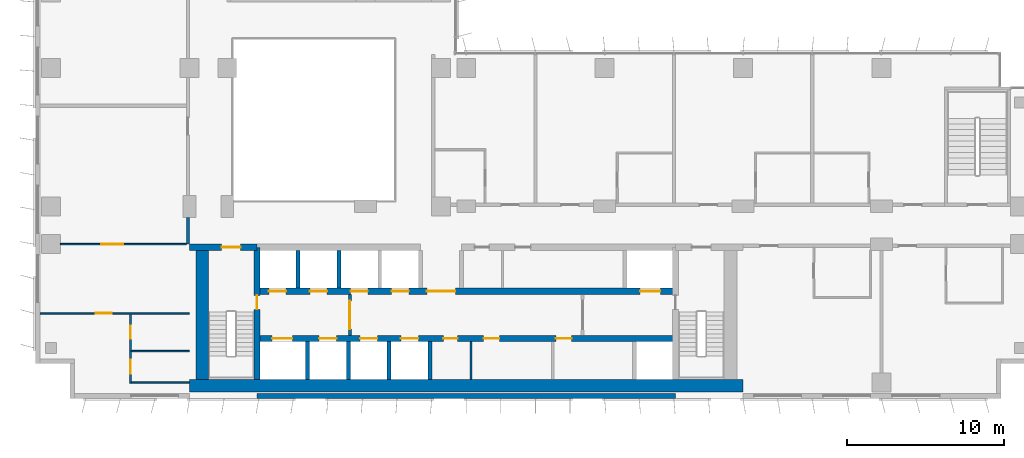
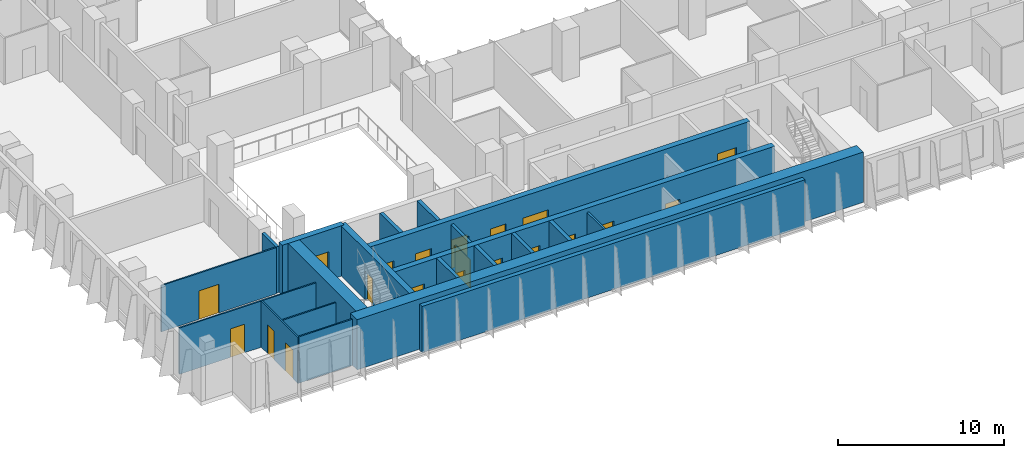
# One storey, part 12 of 22: 21 walls, 20 doors, 20 openings.
"""IFC4 building model written with IfcOpenShell, lengths in metres."""

from ifc_helpers import new_model, si_unit, direction, frame, frame_2d, origin, place, context, subcontext, project, spatial, rectangle, extrude, material, layer, layer_set, type_object, element, fill, save


model = new_model("IFC4")

# Units and contexts
model_context = context("Model", 3, precision=1e-05, world=origin(), true_north=direction((0.0, 1.0)))
body_context = subcontext(model_context, "Body", "Model", "MODEL_VIEW")
ifc_project = project(units=[si_unit("LENGTHUNIT", "METRE"), si_unit("AREAUNIT", "SQUARE_METRE"), si_unit("VOLUMEUNIT", "CUBIC_METRE"), si_unit("PLANEANGLEUNIT", "RADIAN"), si_unit("MASSUNIT", "GRAM", prefix="KILO")], contexts=[model_context])

# Site, building, storey
site_placement = place(None, origin())
site = spatial("IfcSite", under=ifc_project, at=site_placement, CompositionType="ELEMENT")
building_placement = place(site_placement, origin())
building = spatial("IfcBuilding", under=site, at=building_placement, Name="Kemantara Hotel Tower", CompositionType="ELEMENT")
storey_placement = place(building_placement, frame((0.0, 0.0, 122.199951171875)))
storey = spatial("IfcBuildingStorey", under=building, at=storey_placement, Name="L29", CompositionType="ELEMENT", Elevation=122.199951171875)

# Walls
ifc_material_1 = material(Name="Bronze anodised aluminium cladding on insulated steel stud wall", Category="steel")
ifc_layer_1 = layer(ifc_material_1, 0.300048828125)
ifc_layer_set_1 = layer_set([ifc_layer_1], Name="Bronze anodised aluminium cladding on insulated steel stud wall")
wall_type_1 = type_object("IfcWallType", Name="BRONZE METAL-CLAD EXTERNAL WALL 300", PredefinedType="STANDARD", material=ifc_layer_set_1)
wall_1_placement = place(storey_placement, frame((14.10009765625, 0.14990234375, 0.0), z_axis=(0.0, 0.0, 1.0), x_axis=(1.0, 0.0, 0.0)))
element("IfcWall", 1, at=wall_1_placement, inside=storey, type_object=wall_type_1, Name="EXTERNAL WALL L29 T2-R07-2", PredefinedType="STANDARD", context=body_context, shape_type="SweptSolid", body=[
    extrude(rectangle(XDim=26.599853515625, YDim=0.300048828125, at=frame_2d((13.2998046875, 0.0))), origin(), (0.0, 0.0, 1.0), 3.400146484375),
])
ifc_material_2 = material(Name="Concrete fc 70 MPa", Category="concrete")
ifc_layer_2 = layer(ifc_material_2, 0.25)
ifc_layer_set_2 = layer_set([ifc_layer_2], Name="Concrete fc 70 MPa")
wall_type_2 = type_object("IfcWallType", Name="CORE WALL 250 FC70", PredefinedType="SHEAR", material=ifc_layer_set_2)
for number, where, z_axis, x_axis, name in (
    (2, (17.300048828125, 1.199951171875, 0.0), (0.0, 0.0, 1.0), (0.0, 1.0, 0.0), "CORE WALL CW-DS17.3"),
    (3, (19.89990234375, 1.199951171875, 0.0), (0.0, 0.0, 1.0), (0.0, 1.0, 0.0), "CORE WALL CW-DS19.9"),
    (4, (22.5, 1.199951171875, 0.0), (0.0, 0.0, 1.0), (0.0, 1.0, 0.0), "CORE WALL CW-DS22.5"),
    (5, (25.10009765625, 1.199951171875, 0.0), (0.0, 0.0, 1.0), (0.0, 1.0, 0.0), "CORE WALL CW-DS25.1"),
):
    element("IfcWall", number, at=place(storey_placement, frame(where, z_axis=z_axis, x_axis=x_axis)), inside=storey, type_object=wall_type_2, Name=name, PredefinedType="SHEAR", context=body_context, shape_type="SweptSolid", body=[
        extrude(rectangle(XDim=2.400146484375, YDim=0.25, at=frame_2d((1.2001953125, 0.0))), origin(), (0.0, 0.0, 1.0), 3.699951171875),
    ])
for number, where, z_axis, x_axis, name in (
    (6, (16.699951171875, 7.0, 0.0), (0.0, 0.0, 1.0), (0.0, 1.0, 0.0), "CORE WALL CW-DN16.7"),
    (7, (19.300048828125, 7.0, 0.0), (0.0, 0.0, 1.0), (0.0, 1.0, 0.0), "CORE WALL CW-DN19.3"),
):
    element("IfcWall", number, at=place(storey_placement, frame(where, z_axis=z_axis, x_axis=x_axis)), inside=storey, type_object=wall_type_2, Name=name, PredefinedType="SHEAR", context=body_context, shape_type="SweptSolid", body=[
        extrude(rectangle(XDim=2.39990234375, YDim=0.25, at=frame_2d((1.199951171875, 0.0))), origin(), (0.0, 0.0, 1.0), 3.699951171875),
    ])

# Wall, opening, door
ifc_layer_3 = layer(ifc_material_2, 0.39990234375)
ifc_layer_set_3 = layer_set([ifc_layer_3], Name="Concrete fc 70 MPa")
wall_type_3 = type_object("IfcWallType", Name="CORE WALL 400 FC70", PredefinedType="SHEAR", material=ifc_layer_set_3)
wall_2_placement = place(storey_placement, frame((9.800048828125, 9.60009765625, 0.0), z_axis=(0.0, 0.0, 1.0), x_axis=(1.0, 0.0, 0.0)))
wall_2 = element("IfcWall", 8, at=wall_2_placement, inside=storey, type_object=wall_type_3, Name="CORE WALL CW-N1", PredefinedType="SHEAR", context=body_context, shape_type="SweptSolid", body=[
    extrude(rectangle(XDim=4.300048828125, YDim=0.39990234375, at=frame_2d((2.14990234375, 0.0))), origin(), (0.0, 0.0, 1.0), 3.699951171875),
])
opening_1_placement = place(wall_2_placement, frame((2.050048828125, 0.0, 0.0)))
opening_1 = element("IfcOpeningElement", 9, at=opening_1_placement, cuts=wall_2, Name="Opening C20-ST1-C", PredefinedType="OPENING", context=body_context, shape_type="SweptSolid", body=[
    extrude(rectangle(XDim=1.199951171875, YDim=2.10009765625, at=frame_2d((0.60009765625, 1.050048828125))), frame((0.0, 0.2099609375, 0.0), z_axis=(0.0, -1.0, 0.0), x_axis=(1.0, 0.0, 0.0)), (0.0, 0.0, 1.0), 0.419921875),
])
ifc_material_3 = material(Name="Steel fire door", Category="steel")
door_type_1 = type_object("IfcDoorType", Name="Fire door FD90 1200 x 2100", OperationType="NOTDEFINED", PredefinedType="DOOR", material=ifc_material_3)
door_1_placement = place(opening_1_placement, frame((1.199951171875, 0.0, 0.0), z_axis=(0.0, 0.0, 1.0), x_axis=(-1.0, 0.0, 0.0)))
door_1 = element("IfcDoor", 10, at=door_1_placement, inside=storey, type_object=door_type_1, Name="Stair ST1 door to corridor", OperationType="SINGLE_SWING_LEFT", OverallHeight=2.10009765625, OverallWidth=1.199951171875, PredefinedType="DOOR", context=body_context, shape_type="SweptSolid", body=[
    extrude(rectangle(XDim=1.199951171875, YDim=2.10009765625, at=frame_2d((0.60009765625, 1.050048828125))), frame((0.0, 0.02490234375, 0.0), z_axis=(0.0, -1.0, 0.0), x_axis=(1.0, 0.0, 0.0)), (0.0, 0.0, 1.0), 0.050048828125),
])
fill(opening_1, door_1)

# Wall, openings, doors
wall_3_placement = place(storey_placement, frame((14.10009765625, 3.800048828125, 0.0), z_axis=(0.0, 0.0, 1.0), x_axis=(1.0, 0.0, 0.0)))
wall_3 = element("IfcWall", 11, at=wall_3_placement, inside=storey, type_object=wall_type_3, Name="CORE WALL CW-L1", PredefinedType="SHEAR", context=body_context, shape_type="SweptSolid", body=[
    extrude(rectangle(XDim=26.599853515625, YDim=0.39990234375, at=frame_2d((13.2998046875, 0.0))), origin(), (0.0, 0.0, 1.0), 3.699951171875),
])
opening_2_placement = place(wall_3_placement, frame((0.949951171875, 0.0, 0.0)))
opening_2 = element("IfcOpeningElement", 12, at=opening_2_placement, cuts=wall_3, Name="Opening C20-LD-FF1", PredefinedType="OPENING", context=body_context, shape_type="SweptSolid", body=[
    extrude(rectangle(XDim=1.300048828125, YDim=2.10009765625, at=frame_2d((0.64990234375, 1.050048828125))), frame((0.0, 0.2099609375, 0.0), z_axis=(0.0, -1.0, 0.0), x_axis=(1.0, 0.0, 0.0)), (0.0, 0.0, 1.0), 0.419921875),
])
opening_3_placement = place(wall_3_placement, frame((3.949951171875, 0.0, 0.0)))
opening_3 = element("IfcOpeningElement", 13, at=opening_3_placement, cuts=wall_3, Name="Opening C20-LD-SV1", PredefinedType="OPENING", context=body_context, shape_type="SweptSolid", body=[
    extrude(rectangle(XDim=1.10009765625, YDim=2.10009765625, at=frame_2d((0.550048828125, 1.050048828125))), frame((0.0, 0.2099609375, 0.0), z_axis=(0.0, -1.0, 0.0), x_axis=(1.0, 0.0, 0.0)), (0.0, 0.0, 1.0), 0.419921875),
])
opening_4_placement = place(wall_3_placement, frame((6.550048828125, 0.0, 0.0)))
opening_4 = element("IfcOpeningElement", 14, at=opening_4_placement, cuts=wall_3, Name="Opening C20-LD-SV2", PredefinedType="OPENING", context=body_context, shape_type="SweptSolid", body=[
    extrude(rectangle(XDim=1.10009765625, YDim=2.10009765625, at=frame_2d((0.550048828125, 1.050048828125))), frame((0.0, 0.2099609375, 0.0), z_axis=(0.0, -1.0, 0.0), x_axis=(1.0, 0.0, 0.0)), (0.0, 0.0, 1.0), 0.419921875),
])
opening_5_placement = place(wall_3_placement, frame((9.14990234375, 0.0, 0.0)))
opening_5 = element("IfcOpeningElement", 15, at=opening_5_placement, cuts=wall_3, Name="Opening C20-LD-SV3", PredefinedType="OPENING", context=body_context, shape_type="SweptSolid", body=[
    extrude(rectangle(XDim=1.10009765625, YDim=2.10009765625, at=frame_2d((0.550048828125, 1.050048828125))), frame((0.0, 0.2099609375, 0.0), z_axis=(0.0, -1.0, 0.0), x_axis=(1.0, 0.0, 0.0)), (0.0, 0.0, 1.0), 0.419921875),
])
opening_6_placement = place(wall_3_placement, frame((11.85009765625, 0.0, 0.0)))
opening_6 = element("IfcOpeningElement", 16, at=opening_6_placement, cuts=wall_3, Name="Opening C20-R-SM1", PredefinedType="OPENING", context=body_context, shape_type="SweptSolid", body=[
    extrude(rectangle(XDim=0.89990234375, YDim=2.10009765625, at=frame_2d((0.449951171875, 1.050048828125))), frame((0.0, 0.2099609375, 0.0), z_axis=(0.0, -1.0, 0.0), x_axis=(1.0, 0.0, 0.0)), (0.0, 0.0, 1.0), 0.419921875),
])
opening_7_placement = place(wall_3_placement, frame((14.39990234375, 0.0, 0.0)))
opening_7 = element("IfcOpeningElement", 17, at=opening_7_placement, cuts=wall_3, Name="Opening C20-R-SM2", PredefinedType="OPENING", context=body_context, shape_type="SweptSolid", body=[
    extrude(rectangle(XDim=1.0, YDim=2.10009765625, at=frame_2d((0.5, 1.050048828125))), frame((0.0, 0.2099609375, 0.0), z_axis=(0.0, -1.0, 0.0), x_axis=(1.0, 0.0, 0.0)), (0.0, 0.0, 1.0), 0.419921875),
])
opening_8_placement = place(wall_3_placement, frame((19.0, 0.0, 0.0)))
opening_8 = element("IfcOpeningElement", 18, at=opening_8_placement, cuts=wall_3, Name="Opening C20-R-SM3", PredefinedType="OPENING", context=body_context, shape_type="SweptSolid", body=[
    extrude(rectangle(XDim=1.0, YDim=2.10009765625, at=frame_2d((0.5, 1.050048828125))), frame((0.0, 0.2099609375, 0.0), z_axis=(0.0, -1.0, 0.0), x_axis=(1.0, 0.0, 0.0)), (0.0, 0.0, 1.0), 0.419921875),
])
door_type_2 = type_object("IfcDoorType", Name="Fire door FD30S 1000 x 2100", OperationType="NOTDEFINED", PredefinedType="DOOR", material=ifc_material_3)
door_2_placement = place(opening_7_placement, frame((1.0, 0.0, 0.0), z_axis=(0.0, 0.0, 1.0), x_axis=(-1.0, 0.0, 0.0)))
door_2 = element("IfcDoor", 19, at=door_2_placement, inside=storey, type_object=door_type_2, Name="Luggage Store door", OperationType="SINGLE_SWING_LEFT", OverallHeight=2.10009765625, OverallWidth=1.0, PredefinedType="DOOR", context=body_context, shape_type="SweptSolid", body=[
    extrude(rectangle(XDim=1.0, YDim=2.10009765625, at=frame_2d((0.5, 1.050048828125))), frame((0.0, 0.02490234375, 0.0), z_axis=(0.0, -1.0, 0.0), x_axis=(1.0, 0.0, 0.0)), (0.0, 0.0, 1.0), 0.050048828125),
])
fill(opening_7, door_2)
door_3_placement = place(opening_8_placement, frame((1.0, 0.0, 0.0), z_axis=(0.0, 0.0, 1.0), x_axis=(-1.0, 0.0, 0.0)))
door_3 = element("IfcDoor", 20, at=door_3_placement, inside=storey, type_object=door_type_2, Name="Ice And Vending Room door", OperationType="SINGLE_SWING_LEFT", OverallHeight=2.10009765625, OverallWidth=1.0, PredefinedType="DOOR", context=body_context, shape_type="SweptSolid", body=[
    extrude(rectangle(XDim=1.0, YDim=2.10009765625, at=frame_2d((0.5, 1.050048828125))), frame((0.0, 0.02490234375, 0.0), z_axis=(0.0, -1.0, 0.0), x_axis=(1.0, 0.0, 0.0)), (0.0, 0.0, 1.0), 0.050048828125),
])
fill(opening_8, door_3)
door_type_3 = type_object("IfcDoorType", Name="Fire door FD60 900 x 2100", OperationType="NOTDEFINED", PredefinedType="DOOR", material=ifc_material_3)
door_4_placement = place(opening_6_placement, frame((0.89990234375, 0.0, 0.0), z_axis=(0.0, 0.0, 1.0), x_axis=(-1.0, 0.0, 0.0)))
door_4 = element("IfcDoor", 21, at=door_4_placement, inside=storey, type_object=door_type_3, Name="Electrical Riser Room door", OperationType="SINGLE_SWING_RIGHT", OverallHeight=2.10009765625, OverallWidth=0.89990234375, PredefinedType="DOOR", context=body_context, shape_type="SweptSolid", body=[
    extrude(rectangle(XDim=0.89990234375, YDim=2.10009765625, at=frame_2d((0.449951171875, 1.050048828125))), frame((0.0, 0.02490234375, 0.0), z_axis=(0.0, -1.0, 0.0), x_axis=(1.0, 0.0, 0.0)), (0.0, 0.0, 1.0), 0.050048828125),
])
fill(opening_6, door_4)
ifc_material_4 = material(Name="Stainless steel lift door", Category="steel")
door_type_4 = type_object("IfcDoorType", Name="Lift landing door 1100 x 2100 FD60", OperationType="DOUBLE_DOOR_SLIDING", PredefinedType="DOOR", material=ifc_material_4)
door_5_placement = place(opening_3_placement, origin())
door_5 = element("IfcDoor", 22, at=door_5_placement, inside=storey, type_object=door_type_4, Name="Lift SV1 landing door", OperationType="DOUBLE_DOOR_SLIDING", OverallHeight=2.10009765625, OverallWidth=1.10009765625, PredefinedType="DOOR", context=body_context, shape_type="SweptSolid", body=[
    extrude(rectangle(XDim=1.10009765625, YDim=2.10009765625, at=frame_2d((0.550048828125, 1.050048828125))), frame((0.0, 0.02490234375, 0.0), z_axis=(0.0, -1.0, 0.0), x_axis=(1.0, 0.0, 0.0)), (0.0, 0.0, 1.0), 0.050048828125),
])
fill(opening_3, door_5)
door_6_placement = place(opening_4_placement, origin())
door_6 = element("IfcDoor", 23, at=door_6_placement, inside=storey, type_object=door_type_4, Name="Lift SV2 landing door", OperationType="DOUBLE_DOOR_SLIDING", OverallHeight=2.10009765625, OverallWidth=1.10009765625, PredefinedType="DOOR", context=body_context, shape_type="SweptSolid", body=[
    extrude(rectangle(XDim=1.10009765625, YDim=2.10009765625, at=frame_2d((0.550048828125, 1.050048828125))), frame((0.0, 0.02490234375, 0.0), z_axis=(0.0, -1.0, 0.0), x_axis=(1.0, 0.0, 0.0)), (0.0, 0.0, 1.0), 0.050048828125),
])
fill(opening_4, door_6)
door_7_placement = place(opening_5_placement, origin())
door_7 = element("IfcDoor", 24, at=door_7_placement, inside=storey, type_object=door_type_4, Name="Lift SV3 landing door", OperationType="DOUBLE_DOOR_SLIDING", OverallHeight=2.10009765625, OverallWidth=1.10009765625, PredefinedType="DOOR", context=body_context, shape_type="SweptSolid", body=[
    extrude(rectangle(XDim=1.10009765625, YDim=2.10009765625, at=frame_2d((0.550048828125, 1.050048828125))), frame((0.0, 0.02490234375, 0.0), z_axis=(0.0, -1.0, 0.0), x_axis=(1.0, 0.0, 0.0)), (0.0, 0.0, 1.0), 0.050048828125),
])
fill(opening_5, door_7)
door_type_5 = type_object("IfcDoorType", Name="Lift landing door 1300 x 2100 FD90", OperationType="DOUBLE_DOOR_SLIDING", PredefinedType="DOOR", material=ifc_material_4)
door_8_placement = place(opening_2_placement, origin())
door_8 = element("IfcDoor", 25, at=door_8_placement, inside=storey, type_object=door_type_5, Name="Lift FF1 landing door", OperationType="DOUBLE_DOOR_SLIDING", OverallHeight=2.10009765625, OverallWidth=1.300048828125, PredefinedType="DOOR", context=body_context, shape_type="SweptSolid", body=[
    extrude(rectangle(XDim=1.300048828125, YDim=2.10009765625, at=frame_2d((0.64990234375, 1.050048828125))), frame((0.0, 0.02490234375, 0.0), z_axis=(0.0, -1.0, 0.0), x_axis=(1.0, 0.0, 0.0)), (0.0, 0.0, 1.0), 0.050048828125),
])
fill(opening_2, door_8)

wall_4_placement = place(storey_placement, frame((14.10009765625, 6.800048828125, 0.0), z_axis=(0.0, 0.0, 1.0), x_axis=(1.0, 0.0, 0.0)))
wall_4 = element("IfcWall", 26, at=wall_4_placement, inside=storey, type_object=wall_type_3, Name="CORE WALL CW-L2", PredefinedType="SHEAR", context=body_context, shape_type="SweptSolid", body=[
    extrude(rectangle(XDim=26.599853515625, YDim=0.39990234375, at=frame_2d((13.2998046875, 0.0))), origin(), (0.0, 0.0, 1.0), 3.699951171875),
])
opening_9_placement = place(wall_4_placement, frame((10.800048828125, 0.0, 0.0)))
opening_9 = element("IfcOpeningElement", 27, at=opening_9_placement, cuts=wall_4, Name="Opening C20-VL", PredefinedType="OPENING", context=body_context, shape_type="SweptSolid", body=[
    extrude(rectangle(XDim=1.800048828125, YDim=2.10009765625, at=frame_2d((0.89990234375, 1.050048828125))), frame((0.0, 0.2099609375, 0.0), z_axis=(0.0, -1.0, 0.0), x_axis=(1.0, 0.0, 0.0)), (0.0, 0.0, 1.0), 0.419921875),
])
opening_10_placement = place(wall_4_placement, frame((0.75, 0.0, 0.0)))
opening_10 = element("IfcOpeningElement", 28, at=opening_10_placement, cuts=wall_4, Name="Opening C20-LD-MR1", PredefinedType="OPENING", context=body_context, shape_type="SweptSolid", body=[
    extrude(rectangle(XDim=1.10009765625, YDim=2.10009765625, at=frame_2d((0.550048828125, 1.050048828125))), frame((0.0, 0.2099609375, 0.0), z_axis=(0.0, -1.0, 0.0), x_axis=(1.0, 0.0, 0.0)), (0.0, 0.0, 1.0), 0.419921875),
])
opening_11_placement = place(wall_4_placement, frame((3.35009765625, 0.0, 0.0)))
opening_11 = element("IfcOpeningElement", 29, at=opening_11_placement, cuts=wall_4, Name="Opening C20-LD-MR2", PredefinedType="OPENING", context=body_context, shape_type="SweptSolid", body=[
    extrude(rectangle(XDim=1.10009765625, YDim=2.10009765625, at=frame_2d((0.550048828125, 1.050048828125))), frame((0.0, 0.2099609375, 0.0), z_axis=(0.0, -1.0, 0.0), x_axis=(1.0, 0.0, 0.0)), (0.0, 0.0, 1.0), 0.419921875),
])
opening_12_placement = place(wall_4_placement, frame((5.949951171875, 0.0, 0.0)))
opening_12 = element("IfcOpeningElement", 30, at=opening_12_placement, cuts=wall_4, Name="Opening C20-LD-MR3", PredefinedType="OPENING", context=body_context, shape_type="SweptSolid", body=[
    extrude(rectangle(XDim=1.10009765625, YDim=2.10009765625, at=frame_2d((0.550048828125, 1.050048828125))), frame((0.0, 0.2099609375, 0.0), z_axis=(0.0, -1.0, 0.0), x_axis=(1.0, 0.0, 0.0)), (0.0, 0.0, 1.0), 0.419921875),
])
opening_13_placement = place(wall_4_placement, frame((8.550048828125, 0.0, 0.0)))
opening_13 = element("IfcOpeningElement", 31, at=opening_13_placement, cuts=wall_4, Name="Opening C20-LD-MR4", PredefinedType="OPENING", context=body_context, shape_type="SweptSolid", body=[
    extrude(rectangle(XDim=1.10009765625, YDim=2.10009765625, at=frame_2d((0.550048828125, 1.050048828125))), frame((0.0, 0.2099609375, 0.0), z_axis=(0.0, -1.0, 0.0), x_axis=(1.0, 0.0, 0.0)), (0.0, 0.0, 1.0), 0.419921875),
])
opening_14_placement = place(wall_4_placement, frame((24.35009765625, 0.0, 0.0)))
opening_14 = element("IfcOpeningElement", 32, at=opening_14_placement, cuts=wall_4, Name="Opening C20-LD-FF2", PredefinedType="OPENING", context=body_context, shape_type="SweptSolid", body=[
    extrude(rectangle(XDim=1.300048828125, YDim=2.10009765625, at=frame_2d((0.64990234375, 1.050048828125))), frame((0.0, 0.2099609375, 0.0), z_axis=(0.0, -1.0, 0.0), x_axis=(1.0, 0.0, 0.0)), (0.0, 0.0, 1.0), 0.419921875),
])
door_type_6 = type_object("IfcDoorType", Name="Fire door pair FD60 1800 x 2100", OperationType="DOUBLE_DOOR_SINGLE_SWING", PredefinedType="DOOR", material=ifc_material_3)
door_9_placement = place(opening_9_placement, frame((1.800048828125, 0.0, 0.0), z_axis=(0.0, 0.0, 1.0), x_axis=(-1.0, 0.0, 0.0)))
door_9 = element("IfcDoor", 33, at=door_9_placement, inside=storey, type_object=door_type_6, Name="Lift lobby entry door", OperationType="DOUBLE_DOOR_SINGLE_SWING", OverallHeight=2.10009765625, OverallWidth=1.800048828125, PredefinedType="DOOR", context=body_context, shape_type="SweptSolid", body=[
    extrude(rectangle(XDim=1.800048828125, YDim=2.10009765625, at=frame_2d((0.89990234375, 1.050048828125))), frame((0.0, 0.02490234375, 0.0), z_axis=(0.0, -1.0, 0.0), x_axis=(1.0, 0.0, 0.0)), (0.0, 0.0, 1.0), 0.050048828125),
])
fill(opening_9, door_9)
door_10_placement = place(opening_10_placement, origin())
door_10 = element("IfcDoor", 34, at=door_10_placement, inside=storey, type_object=door_type_4, Name="Lift MR1 landing door", OperationType="DOUBLE_DOOR_SLIDING", OverallHeight=2.10009765625, OverallWidth=1.10009765625, PredefinedType="DOOR", context=body_context, shape_type="SweptSolid", body=[
    extrude(rectangle(XDim=1.10009765625, YDim=2.10009765625, at=frame_2d((0.550048828125, 1.050048828125))), frame((0.0, 0.02490234375, 0.0), z_axis=(0.0, -1.0, 0.0), x_axis=(1.0, 0.0, 0.0)), (0.0, 0.0, 1.0), 0.050048828125),
])
fill(opening_10, door_10)
door_11_placement = place(opening_11_placement, origin())
door_11 = element("IfcDoor", 35, at=door_11_placement, inside=storey, type_object=door_type_4, Name="Lift MR2 landing door", OperationType="DOUBLE_DOOR_SLIDING", OverallHeight=2.10009765625, OverallWidth=1.10009765625, PredefinedType="DOOR", context=body_context, shape_type="SweptSolid", body=[
    extrude(rectangle(XDim=1.10009765625, YDim=2.10009765625, at=frame_2d((0.550048828125, 1.050048828125))), frame((0.0, 0.02490234375, 0.0), z_axis=(0.0, -1.0, 0.0), x_axis=(1.0, 0.0, 0.0)), (0.0, 0.0, 1.0), 0.050048828125),
])
fill(opening_11, door_11)
door_12_placement = place(opening_12_placement, origin())
door_12 = element("IfcDoor", 36, at=door_12_placement, inside=storey, type_object=door_type_4, Name="Lift MR3 landing door", OperationType="DOUBLE_DOOR_SLIDING", OverallHeight=2.10009765625, OverallWidth=1.10009765625, PredefinedType="DOOR", context=body_context, shape_type="SweptSolid", body=[
    extrude(rectangle(XDim=1.10009765625, YDim=2.10009765625, at=frame_2d((0.550048828125, 1.050048828125))), frame((0.0, 0.02490234375, 0.0), z_axis=(0.0, -1.0, 0.0), x_axis=(1.0, 0.0, 0.0)), (0.0, 0.0, 1.0), 0.050048828125),
])
fill(opening_12, door_12)
door_13_placement = place(opening_13_placement, origin())
door_13 = element("IfcDoor", 37, at=door_13_placement, inside=storey, type_object=door_type_4, Name="Lift MR4 landing door", OperationType="DOUBLE_DOOR_SLIDING", OverallHeight=2.10009765625, OverallWidth=1.10009765625, PredefinedType="DOOR", context=body_context, shape_type="SweptSolid", body=[
    extrude(rectangle(XDim=1.10009765625, YDim=2.10009765625, at=frame_2d((0.550048828125, 1.050048828125))), frame((0.0, 0.02490234375, 0.0), z_axis=(0.0, -1.0, 0.0), x_axis=(1.0, 0.0, 0.0)), (0.0, 0.0, 1.0), 0.050048828125),
])
fill(opening_13, door_13)
door_14_placement = place(opening_14_placement, origin())
door_14 = element("IfcDoor", 38, at=door_14_placement, inside=storey, type_object=door_type_5, Name="Lift FF2 landing door", OperationType="DOUBLE_DOOR_SLIDING", OverallHeight=2.10009765625, OverallWidth=1.300048828125, PredefinedType="DOOR", context=body_context, shape_type="SweptSolid", body=[
    extrude(rectangle(XDim=1.300048828125, YDim=2.10009765625, at=frame_2d((0.64990234375, 1.050048828125))), frame((0.0, 0.02490234375, 0.0), z_axis=(0.0, -1.0, 0.0), x_axis=(1.0, 0.0, 0.0)), (0.0, 0.0, 1.0), 0.050048828125),
])
fill(opening_14, door_14)

# Wall, opening, door
wall_5_placement = place(storey_placement, frame((14.10009765625, 1.199951171875, 0.0), z_axis=(0.0, 0.0, 1.0), x_axis=(0.0, 1.0, 0.0)))
wall_5 = element("IfcWall", 39, at=wall_5_placement, inside=storey, type_object=wall_type_3, Name="CORE WALL CW-ST1E", PredefinedType="SHEAR", context=body_context, shape_type="SweptSolid", body=[
    extrude(rectangle(XDim=8.400146484375, YDim=0.39990234375, at=frame_2d((4.2001953125, 0.0))), origin(), (0.0, 0.0, 1.0), 3.699951171875),
])
opening_15_placement = place(wall_5_placement, frame((4.449951171875, 0.0, 0.0)))
opening_15 = element("IfcOpeningElement", 40, at=opening_15_placement, cuts=wall_5, Name="Opening C20-ST1-F", PredefinedType="OPENING", context=body_context, shape_type="SweptSolid", body=[
    extrude(rectangle(XDim=0.89990234375, YDim=2.10009765625, at=frame_2d((0.449951171875, 1.050048828125))), frame((0.0, 0.2099609375, 0.0), z_axis=(0.0, -1.0, 0.0), x_axis=(1.0, 0.0, 0.0)), (0.0, 0.0, 1.0), 0.419921875),
])
door_type_7 = type_object("IfcDoorType", Name="Fire door FD90 900 x 2100", OperationType="NOTDEFINED", PredefinedType="DOOR", material=ifc_material_3)
door_15_placement = place(opening_15_placement, origin())
door_15 = element("IfcDoor", 41, at=door_15_placement, inside=storey, type_object=door_type_7, Name="Stair ST1 door to firefighting lobby", OperationType="SINGLE_SWING_RIGHT", OverallHeight=2.10009765625, OverallWidth=0.89990234375, PredefinedType="DOOR", context=body_context, shape_type="SweptSolid", body=[
    extrude(rectangle(XDim=0.89990234375, YDim=2.10009765625, at=frame_2d((0.449951171875, 1.050048828125))), frame((0.0, 0.02490234375, 0.0), z_axis=(0.0, -1.0, 0.0), x_axis=(1.0, 0.0, 0.0)), (0.0, 0.0, 1.0), 0.050048828125),
])
fill(opening_15, door_15)

# Walls
ifc_layer_4 = layer(ifc_material_2, 0.800048828125)
ifc_layer_set_4 = layer_set([ifc_layer_4], Name="Concrete fc 70 MPa")
wall_type_4 = type_object("IfcWallType", Name="CORE WALL 800 FC70", PredefinedType="SHEAR", material=ifc_layer_set_4)
wall_6_placement = place(storey_placement, frame((9.800048828125, 0.800048828125, 0.0), z_axis=(0.0, 0.0, 1.0), x_axis=(1.0, 0.0, 0.0)))
element("IfcWall", 42, at=wall_6_placement, inside=storey, type_object=wall_type_4, Name="CORE WALL CW-S", PredefinedType="SHEAR", context=body_context, shape_type="SweptSolid", body=[
    extrude(rectangle(XDim=35.199951171875, YDim=0.800048828125, at=frame_2d((17.60009765625, 0.0))), origin(), (0.0, 0.0, 1.0), 3.699951171875),
])
wall_7_placement = place(storey_placement, frame((10.60009765625, 1.199951171875, 0.0), z_axis=(0.0, 0.0, 1.0), x_axis=(0.0, 1.0, 0.0)))
element("IfcWall", 43, at=wall_7_placement, inside=storey, type_object=wall_type_4, Name="CORE WALL CW-W", PredefinedType="SHEAR", context=body_context, shape_type="SweptSolid", body=[
    extrude(rectangle(XDim=8.60009765625, YDim=0.800048828125, at=frame_2d((4.300048828125, 0.0))), origin(), (0.0, 0.0, 1.0), 3.699951171875),
])
ifc_material_5 = material(Name="Gypsum board partition, steel studs and mineral wool, 200 mm", Category="steel")
ifc_layer_5 = layer(ifc_material_5, 0.199951171875)
ifc_layer_set_5 = layer_set([ifc_layer_5], Name="Gypsum board partition, steel studs and mineral wool, 200 mm")
wall_type_5 = type_object("IfcWallType", Name="CORRIDOR WALL 200", PredefinedType="PARTITIONING", material=ifc_layer_set_5)
wall_8_placement = place(storey_placement, frame((9.699951171875, 9.800048828125, 0.0), z_axis=(0.0, 0.0, 1.0), x_axis=(0.0, 1.0, 0.0)))
element("IfcWall", 44, at=wall_8_placement, inside=storey, type_object=wall_type_5, Name="CORRIDOR WALL 200 014", PredefinedType="PARTITIONING", context=body_context, shape_type="SweptSolid", body=[
    extrude(rectangle(XDim=1.699951171875, YDim=0.199951171875, at=frame_2d((0.85009765625, 0.0))), origin(), (0.0, 0.0, 1.0), 3.400146484375),
])
ifc_material_6 = material(Name="Gypsum board partition")
ifc_layer_6 = layer(ifc_material_6, 0.14990234375)
ifc_layer_set_6 = layer_set([ifc_layer_6], Name="Gypsum board partition")
wall_type_6 = type_object("IfcWallType", Name="Gypsum board partition 150 mm", PredefinedType="PARTITIONING", material=ifc_layer_set_6)
wall_9_placement = place(storey_placement, frame((27.699951171875, 1.199951171875, 0.0), z_axis=(0.0, 0.0, 1.0), x_axis=(0.0, 1.0, 0.0)))
element("IfcWall", 45, at=wall_9_placement, inside=storey, type_object=wall_type_6, Name="Core room partition", PredefinedType="PARTITIONING", context=body_context, shape_type="SweptSolid", body=[
    extrude(rectangle(XDim=2.400146484375, YDim=0.14990234375, at=frame_2d((1.2001953125, 0.0))), origin(), (0.0, 0.0, 1.0), 3.400146484375),
])

# Wall, opening, door
ifc_material_7 = material(Name="Gypsum board shaft wall")
ifc_layer_7 = layer(ifc_material_7, 0.199951171875)
ifc_layer_set_7 = layer_set([ifc_layer_7], Name="Gypsum board shaft wall")
wall_type_7 = type_object("IfcWallType", Name="Gypsum board shaft wall 200 mm", PredefinedType="PARTITIONING", material=ifc_layer_set_7)
wall_10_placement = place(storey_placement, frame((20.0, 4.0, 0.0), z_axis=(0.0, 0.0, 1.0), x_axis=(0.0, 1.0, 0.0)))
wall_10 = element("IfcWall", 46, at=wall_10_placement, inside=storey, type_object=wall_type_7, Name="Firefighting lobby partition west", PredefinedType="PARTITIONING", context=body_context, shape_type="SweptSolid", body=[
    extrude(rectangle(XDim=2.60009765625, YDim=0.199951171875, at=frame_2d((1.300048828125, 0.0))), origin(), (0.0, 0.0, 1.0), 3.400146484375),
])
opening_16_placement = place(wall_10_placement, frame((0.39990234375, 0.0, 0.0)))
opening_16 = element("IfcOpeningElement", 47, at=opening_16_placement, cuts=wall_10, Name="Opening C20-FFW", PredefinedType="OPENING", context=body_context, shape_type="SweptSolid", body=[
    extrude(rectangle(XDim=1.800048828125, YDim=2.10009765625, at=frame_2d((0.89990234375, 1.050048828125))), frame((0.0, 0.10986328125, 0.0), z_axis=(0.0, -1.0, 0.0), x_axis=(1.0, 0.0, 0.0)), (0.0, 0.0, 1.0), 0.219970703125),
])
door_16_placement = place(opening_16_placement, origin())
door_16 = element("IfcDoor", 48, at=door_16_placement, inside=storey, type_object=door_type_6, Name="Firefighting lobby door west", OperationType="DOUBLE_DOOR_SINGLE_SWING", OverallHeight=2.10009765625, OverallWidth=1.800048828125, PredefinedType="DOOR", context=body_context, shape_type="SweptSolid", body=[
    extrude(rectangle(XDim=1.800048828125, YDim=2.10009765625, at=frame_2d((0.89990234375, 1.050048828125))), frame((0.0, 0.02490234375, 0.0), z_axis=(0.0, -1.0, 0.0), x_axis=(1.0, 0.0, 0.0)), (0.0, 0.0, 1.0), 0.050048828125),
])
fill(opening_16, door_16)

# Wall, openings, doors
ifc_material_8 = material(Name="Gypsum board partition on steel studs, 100 mm", Category="steel")
ifc_layer_8 = layer(ifc_material_8, 0.10009765625)
ifc_layer_set_8 = layer_set([ifc_layer_8], Name="Gypsum board partition on steel studs, 100 mm")
wall_type_8 = type_object("IfcWallType", Name="ROOM PARTITION 100", PredefinedType="PARTITIONING", material=ifc_layer_set_8)
wall_11_placement = place(storey_placement, frame((6.050048828125, 5.35009765625, 0.0), z_axis=(0.0, 0.0, 1.0), x_axis=(0.0, -1.0, 0.0)))
wall_11 = element("IfcWall", 49, at=wall_11_placement, inside=storey, type_object=wall_type_8, Name="ROOM PARTITION 100 055", PredefinedType="PARTITIONING", context=body_context, shape_type="SweptSolid", body=[
    extrude(rectangle(XDim=4.400146484375, YDim=0.10009765625, at=frame_2d((2.2001953125, 0.0))), origin(), (0.0, 0.0, 1.0), 3.400146484375),
])
opening_17_placement = place(wall_11_placement, frame((2.89990234375, 0.0, 0.0)))
opening_17 = element("IfcOpeningElement", 50, at=opening_17_placement, cuts=wall_11, Name="Opening F13-016", PredefinedType="OPENING", context=body_context, shape_type="SweptSolid", body=[
    extrude(rectangle(XDim=0.89990234375, YDim=2.10009765625, at=frame_2d((0.449951171875, 1.050048828125))), frame((0.0, 0.06005859375, 0.0), z_axis=(0.0, -1.0, 0.0), x_axis=(1.0, 0.0, 0.0)), (0.0, 0.0, 1.0), 0.1201171875),
])
opening_18_placement = place(wall_11_placement, frame((0.75, 0.0, 0.0)))
opening_18 = element("IfcOpeningElement", 51, at=opening_18_placement, cuts=wall_11, Name="Opening F13-017", PredefinedType="OPENING", context=body_context, shape_type="SweptSolid", body=[
    extrude(rectangle(XDim=0.800048828125, YDim=2.10009765625, at=frame_2d((0.39990234375, 1.050048828125))), frame((0.0, 0.06005859375, 0.0), z_axis=(0.0, -1.0, 0.0), x_axis=(1.0, 0.0, 0.0)), (0.0, 0.0, 1.0), 0.1201171875),
])
ifc_material_9 = material(Name="Hardwood veneer door leaf with steel frame", Category="steel")
door_type_8 = type_object("IfcDoorType", Name="BATHROOM DOOR 900 X 2100", OperationType="NOTDEFINED", PredefinedType="DOOR", material=ifc_material_9)
door_17_placement = place(opening_17_placement, origin())
door_17 = element("IfcDoor", 52, at=door_17_placement, inside=storey, type_object=door_type_8, Name="BATHROOM DOOR F13-016", OperationType="SINGLE_SWING_LEFT", OverallHeight=2.10009765625, OverallWidth=0.89990234375, PredefinedType="DOOR", context=body_context, shape_type="SweptSolid", body=[
    extrude(rectangle(XDim=0.89990234375, YDim=2.10009765625, at=frame_2d((0.449951171875, 1.050048828125))), frame((0.0, 0.02490234375, 0.0), z_axis=(0.0, -1.0, 0.0), x_axis=(1.0, 0.0, 0.0)), (0.0, 0.0, 1.0), 0.050048828125),
])
fill(opening_17, door_17)
door_type_9 = type_object("IfcDoorType", Name="WARDROBE DOOR 800 X 2100", OperationType="NOTDEFINED", PredefinedType="DOOR", material=ifc_material_9)
door_18_placement = place(opening_18_placement, origin())
door_18 = element("IfcDoor", 53, at=door_18_placement, inside=storey, type_object=door_type_9, Name="WARDROBE DOOR F13-017", OperationType="SINGLE_SWING_LEFT", OverallHeight=2.10009765625, OverallWidth=0.800048828125, PredefinedType="DOOR", context=body_context, shape_type="SweptSolid", body=[
    extrude(rectangle(XDim=0.800048828125, YDim=2.10009765625, at=frame_2d((0.39990234375, 1.050048828125))), frame((0.0, 0.02490234375, 0.0), z_axis=(0.0, -1.0, 0.0), x_axis=(1.0, 0.0, 0.0)), (0.0, 0.0, 1.0), 0.050048828125),
])
fill(opening_18, door_18)

# Wall, opening, door
wall_12_placement = place(storey_placement, frame((9.60009765625, 9.800048828125, 0.0), z_axis=(0.0, 0.0, 1.0), x_axis=(-1.0, 0.0, 0.0)))
wall_12 = element("IfcWall", 54, at=wall_12_placement, inside=storey, type_object=wall_type_8, Name="ROOM PARTITION 100 057", PredefinedType="PARTITIONING", context=body_context, shape_type="SweptSolid", body=[
    extrude(rectangle(XDim=8.0, YDim=0.10009765625, at=frame_2d((4.0, 0.0))), origin(), (0.0, 0.0, 1.0), 3.400146484375),
])
opening_19_placement = place(wall_12_placement, frame((4.0, 0.0, 0.0)))
opening_19 = element("IfcOpeningElement", 55, at=opening_19_placement, cuts=wall_12, Name="Opening F13-014", PredefinedType="OPENING", context=body_context, shape_type="SweptSolid", body=[
    extrude(rectangle(XDim=1.39990234375, YDim=2.10009765625, at=frame_2d((0.699951171875, 1.050048828125))), frame((0.0, 0.06005859375, 0.0), z_axis=(0.0, -1.0, 0.0), x_axis=(1.0, 0.0, 0.0)), (0.0, 0.0, 1.0), 0.1201171875),
])
door_type_10 = type_object("IfcDoorType", Name="INTERNAL DOOR 1400 X 2100", OperationType="NOTDEFINED", PredefinedType="DOOR", material=ifc_material_9)
door_19_placement = place(opening_19_placement, origin())
door_19 = element("IfcDoor", 56, at=door_19_placement, inside=storey, type_object=door_type_10, Name="INTERNAL DOOR F13-014", OperationType="DOUBLE_DOOR_SINGLE_SWING", OverallHeight=2.10009765625, OverallWidth=1.39990234375, PredefinedType="DOOR", context=body_context, shape_type="SweptSolid", body=[
    extrude(rectangle(XDim=1.39990234375, YDim=2.10009765625, at=frame_2d((0.699951171875, 1.050048828125))), frame((0.0, 0.02490234375, 0.0), z_axis=(0.0, -1.0, 0.0), x_axis=(1.0, 0.0, 0.0)), (0.0, 0.0, 1.0), 0.050048828125),
])
fill(opening_19, door_19)

wall_13_placement = place(storey_placement, frame((9.7998046875, 5.39990234375, 0.0), z_axis=(0.0, 0.0, 1.0), x_axis=(-1.0, 0.0, 0.0)))
wall_13 = element("IfcWall", 57, at=wall_13_placement, inside=storey, type_object=wall_type_8, Name="ROOM PARTITION 100 058", PredefinedType="PARTITIONING", context=body_context, shape_type="SweptSolid", body=[
    extrude(rectangle(XDim=9.48974609375, YDim=0.10009765625, at=frame_2d((4.744873046875, 0.0))), origin(), (0.0, 0.0, 1.0), 3.400146484375),
])
opening_20_placement = place(wall_13_placement, frame((4.949951171875, 0.0, 0.0)))
opening_20 = element("IfcOpeningElement", 58, at=opening_20_placement, cuts=wall_13, Name="Opening F13-015", PredefinedType="OPENING", context=body_context, shape_type="SweptSolid", body=[
    extrude(rectangle(XDim=1.0, YDim=2.10009765625, at=frame_2d((0.5, 1.050048828125))), frame((0.0, 0.06005859375, 0.0), z_axis=(0.0, -1.0, 0.0), x_axis=(1.0, 0.0, 0.0)), (0.0, 0.0, 1.0), 0.1201171875),
])
door_type_11 = type_object("IfcDoorType", Name="INTERNAL DOOR 1000 X 2100", OperationType="NOTDEFINED", PredefinedType="DOOR", material=ifc_material_9)
door_20_placement = place(opening_20_placement, origin())
door_20 = element("IfcDoor", 59, at=door_20_placement, inside=storey, type_object=door_type_11, Name="INTERNAL DOOR F13-015", OperationType="SINGLE_SWING_LEFT", OverallHeight=2.10009765625, OverallWidth=1.0, PredefinedType="DOOR", context=body_context, shape_type="SweptSolid", body=[
    extrude(rectangle(XDim=1.0, YDim=2.10009765625, at=frame_2d((0.5, 1.050048828125))), frame((0.0, 0.02490234375, 0.0), z_axis=(0.0, -1.0, 0.0), x_axis=(1.0, 0.0, 0.0)), (0.0, 0.0, 1.0), 0.050048828125),
])
fill(opening_20, door_20)

# Walls
for number, where, z_axis, x_axis, name in (
    (60, (6.10009765625, 1.0, 0.0), (0.0, 0.0, 1.0), (1.0, 0.0, 0.0), "ROOM PARTITION 100 059"),
    (61, (6.10009765625, 3.0, 0.0), (0.0, 0.0, 1.0), (1.0, 0.0, 0.0), "ROOM PARTITION 100 060"),
):
    element("IfcWall", number, at=place(storey_placement, frame(where, z_axis=z_axis, x_axis=x_axis)), inside=storey, type_object=wall_type_8, Name=name, PredefinedType="PARTITIONING", context=body_context, shape_type="SweptSolid", body=[
        extrude(rectangle(XDim=3.69970703125, YDim=0.10009765625, at=frame_2d((1.849853515625, 0.0))), origin(), (0.0, 0.0, 1.0), 3.400146484375),
    ])

save(model, "model.ifc")
